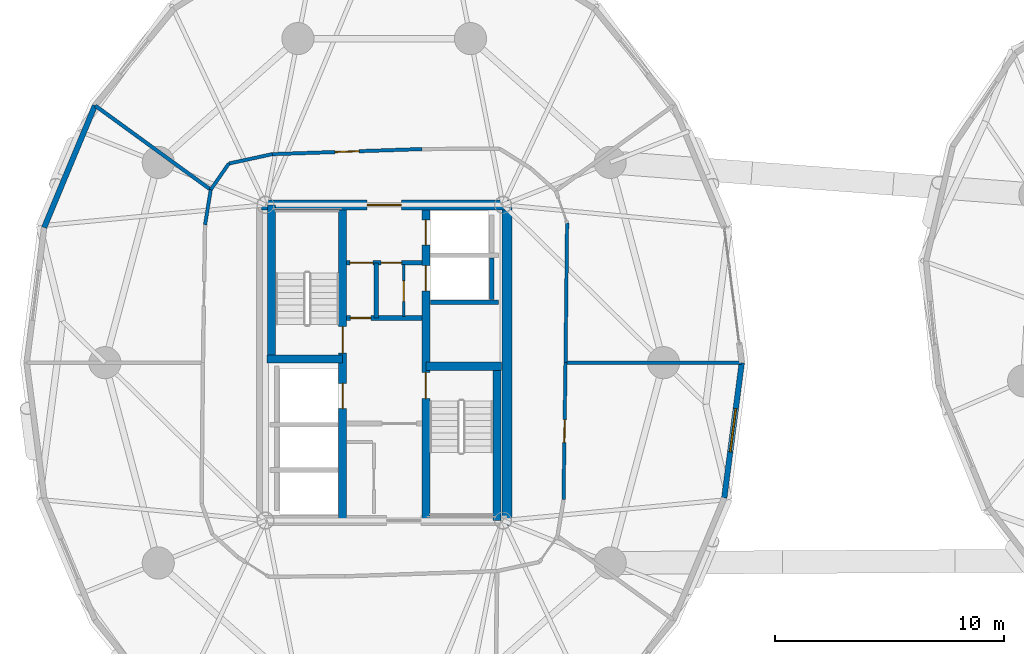
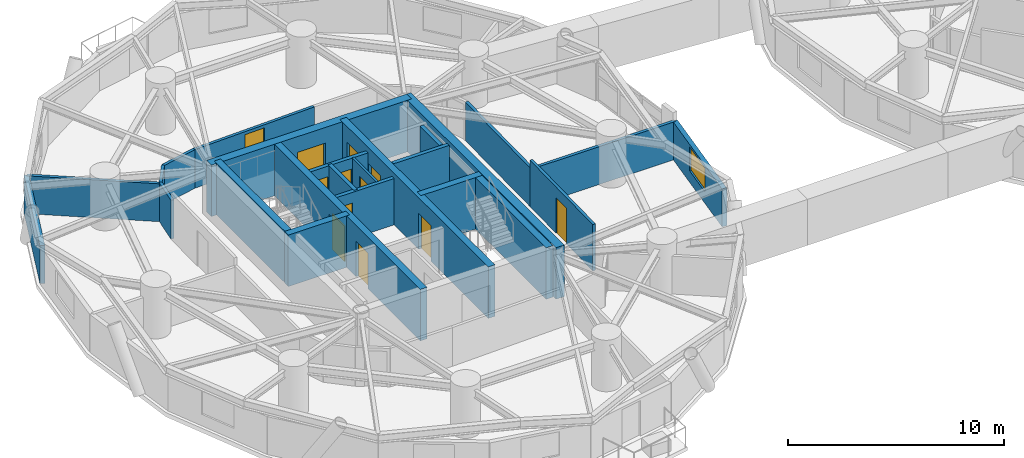
# One storey, part 11 of 18: 24 walls, 12 doors, 1 window, 13 openings.
"""IFC4 building model written with IfcOpenShell, lengths in metres."""

from ifc_helpers import new_model, si_unit, direction, frame, frame_2d, origin, place, context, subcontext, project, spatial, rectangle, extrude, source, transform, mapped, material, layer, layer_set, type_object, element, fill, save


model = new_model("IFC4")

# Units and contexts
model_context = context("Model", 3, precision=1e-05, world=origin(), true_north=direction((0.0, 1.0)))
body_context = subcontext(model_context, "Body", "Model", "MODEL_VIEW")
ifc_project = project(units=[si_unit("LENGTHUNIT", "METRE"), si_unit("AREAUNIT", "SQUARE_METRE"), si_unit("VOLUMEUNIT", "CUBIC_METRE"), si_unit("PLANEANGLEUNIT", "RADIAN"), si_unit("MASSUNIT", "GRAM", prefix="KILO")], contexts=[model_context])

# Site, building, storey
site_placement = place(None, origin())
site = spatial("IfcSite", under=ifc_project, at=site_placement, CompositionType="ELEMENT")
building_placement = place(site_placement, origin())
building = spatial("IfcBuilding", under=site, at=building_placement, Name="Cununo Teusaquillo Station Towers", CompositionType="ELEMENT")
storey_placement = place(building_placement, frame((0.0, 0.0, 122.530029296875)))
storey = spatial("IfcBuildingStorey", under=building, at=storey_placement, Name="L39", CompositionType="ELEMENT", Elevation=122.530029296875)

# Walls
ifc_material_1 = material(Name="Concrete C50/60", Category="concrete")
ifc_layer_1 = layer(ifc_material_1, 0.199951171875)
ifc_layer_set_1 = layer_set([ifc_layer_1], Name="Concrete C50/60")
wall_type_1 = type_object("IfcWallType", Name="WL-CORE-200", PredefinedType="SHEAR", material=ifc_layer_set_1)
wall_1_placement = place(storey_placement, frame((18.510009765625, 27.1298828125, 0.0), z_axis=(0.0, 0.0, 1.0), x_axis=(1.0, 0.0, 0.0)))
element("IfcWall", 1, at=wall_1_placement, inside=storey, type_object=wall_type_1, Name="L39 Tower A Low-Rise Lift Hoistway South Shear Wall", PredefinedType="SHEAR", context=body_context, shape_type="SweptSolid", body=[
    extrude(rectangle(XDim=2.969970703125, YDim=0.199951171875, at=frame_2d((1.48486328125, 0.0))), origin(), (0.0, 0.0, 1.0), 2.909912109375),
])
wall_2_placement = place(storey_placement, frame((21.179931640625, 27.25, 0.0), z_axis=(0.0, 0.0, 1.0), x_axis=(0.0, 1.0, 0.0)))
element("IfcWall", 2, at=wall_2_placement, inside=storey, type_object=wall_type_1, Name="L39 Tower A Low-Rise Lift 1 Shaft Rear Shear Wall", PredefinedType="SHEAR", context=body_context, shape_type="SweptSolid", body=[
    extrude(rectangle(XDim=1.804931640625, YDim=0.199951171875, at=frame_2d((0.90234375, 0.0))), origin(), (0.0, 0.0, 1.0), 2.909912109375),
])

# Wall, openings, doors
ifc_material_2 = material(Name="Concrete C50/60", Category="concrete")
ifc_layer_2 = layer(ifc_material_2, 0.35009765625)
ifc_layer_set_2 = layer_set([ifc_layer_2], Name="Concrete C50/60")
wall_type_2 = type_object("IfcWallType", Name="WL-CORE-350", PredefinedType="SHEAR", material=ifc_layer_set_2)
wall_3_placement = place(storey_placement, frame((14.68505859375, 17.625, 0.0), z_axis=(0.0, 0.0, 1.0), x_axis=(0.0, 1.0, 0.0)))
wall_3 = element("IfcWall", 3, at=wall_3_placement, inside=storey, type_object=wall_type_2, Name="L39 Tower A Core Shear Wall IW", PredefinedType="SHEAR", context=body_context, shape_type="SweptSolid", body=[
    extrude(rectangle(XDim=13.75, YDim=0.35009765625, at=frame_2d((6.875, 0.0))), origin(), (0.0, 0.0, 1.0), 2.909912109375),
])
shared_shape_1 = source(origin(), body_context, "Body", "SweptSolid", [
    extrude(rectangle(XDim=1.10009765625, YDim=2.014892578125, at=frame_2d((0.550048828125, 1.00732421875))), frame((0.0, 0.18505859375, 0.0), z_axis=(0.0, -1.0, 0.0), x_axis=(1.0, 0.0, 0.0)), (0.0, 0.0, 1.0), 0.3701171875),
])
opening_1_placement = place(wall_3_placement, frame((4.875, 0.0, 0.0)))
opening_1 = element("IfcOpeningElement", 4, at=opening_1_placement, cuts=wall_3, Name="Opening LD-01", PredefinedType="OPENING", context=body_context, shape_type="MappedRepresentation", body=[
    mapped(shared_shape_1, transform((0.0, 0.0, 0.0), x_axis=(1.0, 0.0, 0.0), y_axis=(0.0, 1.0, 0.0), z_axis=(0.0, 0.0, 1.0), scale=1.0)),
])
shared_shape_2 = source(origin(), body_context, "Body", "SweptSolid", [
    extrude(rectangle(XDim=1.14990234375, YDim=2.02001953125, at=frame_2d((0.574951171875, 1.010009765625))), frame((0.0, 0.18505859375, 0.0), z_axis=(0.0, -1.0, 0.0), x_axis=(1.0, 0.0, 0.0)), (0.0, 0.0, 1.0), 0.3701171875),
])
opening_2_placement = place(wall_3_placement, frame((7.294921875, 0.0, 0.0)))
opening_2 = element("IfcOpeningElement", 5, at=opening_2_placement, cuts=wall_3, Name="Opening D-ST1", PredefinedType="OPENING", context=body_context, shape_type="MappedRepresentation", body=[
    mapped(shared_shape_2, transform((0.0, 0.0, 0.0), x_axis=(1.0, 0.0, 0.0), y_axis=(0.0, 1.0, 0.0), z_axis=(0.0, 0.0, 1.0), scale=1.0)),
])
ifc_material_3 = material(Name="Galvanised fire-rated hollow steel door assembly", Category="steel")
door_type_1 = type_object("IfcDoorType", Name="DR-LIFT-1100", OperationType="SLIDING_TO_LEFT", PredefinedType="DOOR", material=ifc_material_3)
shared_shape_3 = source(origin(), body_context, "Body", "SweptSolid", [
    extrude(rectangle(XDim=1.10009765625, YDim=2.014892578125, at=frame_2d((0.550048828125, 1.00732421875))), frame((0.0, 0.02490234375, 0.0), z_axis=(0.0, -1.0, 0.0), x_axis=(1.0, 0.0, 0.0)), (0.0, 0.0, 1.0), 0.050048828125),
])
door_1_placement = place(opening_1_placement, origin())
door_1 = element("IfcDoor", 6, at=door_1_placement, inside=storey, type_object=door_type_1, Name="L39 Lift FL-T1 Sliding Landing Door", OperationType="SLIDING_TO_RIGHT", OverallHeight=2.014892578125, OverallWidth=1.10009765625, PredefinedType="DOOR", context=body_context, shape_type="MappedRepresentation", body=[
    mapped(shared_shape_3, transform((0.0, 0.0, 0.0), x_axis=(1.0, 0.0, 0.0), y_axis=(0.0, 1.0, 0.0), z_axis=(0.0, 0.0, 1.0), scale=1.0)),
])
fill(opening_1, door_1)
ifc_material_4 = material(Name="Galvanised fire-rated hollow steel door assembly", Category="steel")
door_type_2 = type_object("IfcDoorType", Name="DR-STAIR-1150", OperationType="NOTDEFINED", PredefinedType="DOOR", material=ifc_material_4)
shared_shape_4 = source(origin(), body_context, "Body", "SweptSolid", [
    extrude(rectangle(XDim=1.14990234375, YDim=2.02001953125, at=frame_2d((0.574951171875, 1.010009765625))), frame((0.0, 0.02490234375, 0.0), z_axis=(0.0, -1.0, 0.0), x_axis=(1.0, 0.0, 0.0)), (0.0, 0.0, 1.0), 0.050048828125),
])
door_2_placement = place(opening_2_placement, origin())
door_2 = element("IfcDoor", 7, at=door_2_placement, inside=storey, type_object=door_type_2, Name="L39 Tower A Exit Stair 1 Fire Door", OperationType="SINGLE_SWING_RIGHT", OverallHeight=2.02001953125, OverallWidth=1.14990234375, PredefinedType="DOOR", context=body_context, shape_type="MappedRepresentation", body=[
    mapped(shared_shape_4, transform((0.0, 0.0, 0.0), x_axis=(1.0, 0.0, 0.0), y_axis=(0.0, 1.0, 0.0), z_axis=(0.0, 0.0, 1.0), scale=1.0)),
])
fill(opening_2, door_2)

wall_4_placement = place(storey_placement, frame((18.31494140625, 17.625, 0.0), z_axis=(0.0, 0.0, 1.0), x_axis=(0.0, 1.0, 0.0)))
wall_4 = element("IfcWall", 8, at=wall_4_placement, inside=storey, type_object=wall_type_2, Name="L39 Tower A Core Shear Wall IE", PredefinedType="SHEAR", context=body_context, shape_type="SweptSolid", body=[
    extrude(rectangle(XDim=13.75, YDim=0.35009765625, at=frame_2d((6.875, 0.0))), origin(), (0.0, 0.0, 1.0), 2.909912109375),
])
opening_3_placement = place(wall_4_placement, frame((10.0, 0.0, 0.0)))
opening_3 = element("IfcOpeningElement", 9, at=opening_3_placement, cuts=wall_4, Name="Opening LD-01", PredefinedType="OPENING", context=body_context, shape_type="MappedRepresentation", body=[
    mapped(shared_shape_1, transform((0.0, 0.0, 0.0), x_axis=(1.0, 0.0, 0.0), y_axis=(0.0, 1.0, 0.0), z_axis=(0.0, 0.0, 1.0), scale=1.0)),
])
opening_4_placement = place(wall_4_placement, frame((12.0, 0.0, 0.0)))
opening_4 = element("IfcOpeningElement", 10, at=opening_4_placement, cuts=wall_4, Name="Opening LD-01", PredefinedType="OPENING", context=body_context, shape_type="MappedRepresentation", body=[
    mapped(shared_shape_1, transform((0.0, 0.0, 0.0), x_axis=(1.0, 0.0, 0.0), y_axis=(0.0, 1.0, 0.0), z_axis=(0.0, 0.0, 1.0), scale=1.0)),
])
opening_5_placement = place(wall_4_placement, frame((5.304931640625, 0.0, 0.0)))
opening_5 = element("IfcOpeningElement", 11, at=opening_5_placement, cuts=wall_4, Name="Opening D-ST1", PredefinedType="OPENING", context=body_context, shape_type="MappedRepresentation", body=[
    mapped(shared_shape_2, transform((0.0, 0.0, 0.0), x_axis=(1.0, 0.0, 0.0), y_axis=(0.0, 1.0, 0.0), z_axis=(0.0, 0.0, 1.0), scale=1.0)),
])
door_3_placement = place(opening_3_placement, origin())
door_3 = element("IfcDoor", 12, at=door_3_placement, inside=storey, type_object=door_type_1, Name="L39 Lift PL-T1-L1 Sliding Landing Door", OperationType="SLIDING_TO_RIGHT", OverallHeight=2.014892578125, OverallWidth=1.10009765625, PredefinedType="DOOR", context=body_context, shape_type="MappedRepresentation", body=[
    mapped(shared_shape_3, transform((0.0, 0.0, 0.0), x_axis=(1.0, 0.0, 0.0), y_axis=(0.0, 1.0, 0.0), z_axis=(0.0, 0.0, 1.0), scale=1.0)),
])
fill(opening_3, door_3)
door_4_placement = place(opening_4_placement, origin())
door_4 = element("IfcDoor", 13, at=door_4_placement, inside=storey, type_object=door_type_1, Name="L39 Lift PL-T1-L2 Sliding Landing Door", OperationType="SLIDING_TO_LEFT", OverallHeight=2.014892578125, OverallWidth=1.10009765625, PredefinedType="DOOR", context=body_context, shape_type="MappedRepresentation", body=[
    mapped(shared_shape_3, transform((0.0, 0.0, 0.0), x_axis=(1.0, 0.0, 0.0), y_axis=(0.0, 1.0, 0.0), z_axis=(0.0, 0.0, 1.0), scale=1.0)),
])
fill(opening_4, door_4)
door_5_placement = place(opening_5_placement, origin())
door_5 = element("IfcDoor", 14, at=door_5_placement, inside=storey, type_object=door_type_2, Name="L39 Tower A Exit Stair 2 Fire Door", OperationType="SINGLE_SWING_LEFT", OverallHeight=2.02001953125, OverallWidth=1.14990234375, PredefinedType="DOOR", context=body_context, shape_type="MappedRepresentation", body=[
    mapped(shared_shape_4, transform((0.0, 0.0, 0.0), x_axis=(1.0, 0.0, 0.0), y_axis=(0.0, 1.0, 0.0), z_axis=(0.0, 0.0, 1.0), scale=1.0)),
])
fill(opening_5, door_5)

# Walls
wall_5_placement = place(storey_placement, frame((11.594970703125, 24.655029296875, 0.0), z_axis=(0.0, 0.0, 1.0), x_axis=(0.0, 1.0, 0.0)))
element("IfcWall", 15, at=wall_5_placement, inside=storey, type_object=wall_type_2, Name="L39 Tower A Core Shear Wall ST1W", PredefinedType="SHEAR", context=body_context, shape_type="SweptSolid", body=[
    extrude(rectangle(XDim=6.719970703125, YDim=0.35009765625, at=frame_2d((3.35986328125, 0.0))), origin(), (0.0, 0.0, 1.0), 2.909912109375),
])
wall_6_placement = place(storey_placement, frame((11.39990234375, 24.655029296875, 0.0), z_axis=(0.0, 0.0, 1.0), x_axis=(1.0, 0.0, 0.0)))
element("IfcWall", 16, at=wall_6_placement, inside=storey, type_object=wall_type_2, Name="L39 Tower A Core Shear Wall ST1S", PredefinedType="SHEAR", context=body_context, shape_type="SweptSolid", body=[
    extrude(rectangle(XDim=3.28515625, YDim=0.35009765625, at=frame_2d((1.642578125, 0.0))), origin(), (0.0, 0.0, 1.0), 2.909912109375),
])
wall_7_placement = place(storey_placement, frame((21.405029296875, 17.625, 0.0), z_axis=(0.0, 0.0, 1.0), x_axis=(0.0, 1.0, 0.0)))
element("IfcWall", 17, at=wall_7_placement, inside=storey, type_object=wall_type_2, Name="L39 Tower A Core Shear Wall ST2E", PredefinedType="SHEAR", context=body_context, shape_type="SweptSolid", body=[
    extrude(rectangle(XDim=6.719970703125, YDim=0.35009765625, at=frame_2d((3.35986328125, 0.0))), origin(), (0.0, 0.0, 1.0), 2.909912109375),
])
wall_8_placement = place(storey_placement, frame((18.31494140625, 24.344970703125, 0.0), z_axis=(0.0, 0.0, 1.0), x_axis=(1.0, 0.0, 0.0)))
element("IfcWall", 18, at=wall_8_placement, inside=storey, type_object=wall_type_2, Name="L39 Tower A Core Shear Wall ST2N", PredefinedType="SHEAR", context=body_context, shape_type="SweptSolid", body=[
    extrude(rectangle(XDim=3.28515625, YDim=0.35009765625, at=frame_2d((1.642578125, 0.0))), origin(), (0.0, 0.0, 1.0), 2.909912109375),
])
ifc_material_5 = material(Name="Concrete C60/75", Category="concrete")
ifc_layer_3 = layer(ifc_material_5, 0.449951171875)
ifc_layer_set_3 = layer_set([ifc_layer_3], Name="Concrete C60/75")
wall_type_3 = type_object("IfcWallType", Name="WL-CORE-450", PredefinedType="SHEAR", material=ifc_layer_set_3)
wall_9_placement = place(storey_placement, frame((21.85009765625, 17.39990234375, 0.0), z_axis=(0.0, 0.0, 1.0), x_axis=(0.0, 1.0, 0.0)))
element("IfcWall", 19, at=wall_9_placement, inside=storey, type_object=wall_type_3, Name="L39 Tower A Core Shear Wall E", PredefinedType="SHEAR", context=body_context, shape_type="SweptSolid", body=[
    extrude(rectangle(XDim=14.2001953125, YDim=0.449951171875, at=frame_2d((7.10009765625, 0.0))), origin(), (0.0, 0.0, 1.0), 2.909912109375),
])

# Wall, opening, door
wall_10_placement = place(storey_placement, frame((11.14990234375, 31.375, 0.0), z_axis=(0.0, 0.0, 1.0), x_axis=(1.0, 0.0, 0.0)))
wall_10 = element("IfcWall", 20, at=wall_10_placement, inside=storey, type_object=wall_type_3, Name="L39 Tower A Core Shear Wall N", PredefinedType="SHEAR", context=body_context, shape_type="SweptSolid", body=[
    extrude(rectangle(XDim=10.7001953125, YDim=0.449951171875, at=frame_2d((5.35009765625, 0.0))), origin(), (0.0, 0.0, 1.0), 2.909912109375),
])
shared_shape_5 = source(origin(), body_context, "Body", "SweptSolid", [
    extrude(rectangle(XDim=1.5, YDim=2.02001953125, at=frame_2d((0.75, 1.010009765625))), frame((0.0, 0.23486328125, 0.0), z_axis=(0.0, -1.0, 0.0), x_axis=(1.0, 0.0, 0.0)), (0.0, 0.0, 1.0), 0.469970703125),
])
opening_6_placement = place(wall_10_placement, frame((4.60009765625, 0.0, 0.0)))
opening_6 = element("IfcOpeningElement", 21, at=opening_6_placement, cuts=wall_10, Name="Opening D-LB1", PredefinedType="OPENING", context=body_context, shape_type="MappedRepresentation", body=[
    mapped(shared_shape_5, transform((0.0, 0.0, 0.0), x_axis=(1.0, 0.0, 0.0), y_axis=(0.0, 1.0, 0.0), z_axis=(0.0, 0.0, 1.0), scale=1.0)),
])
ifc_material_6 = material(Name="Galvanised fire-rated hollow steel door assembly", Category="steel")
door_type_3 = type_object("IfcDoorType", Name="DR-LOBBY-1500", OperationType="DOUBLE_DOOR_SINGLE_SWING", PredefinedType="DOOR", material=ifc_material_6)
shared_shape_6 = source(origin(), body_context, "Body", "SweptSolid", [
    extrude(rectangle(XDim=1.5, YDim=2.02001953125, at=frame_2d((0.75, 1.010009765625))), frame((0.0, 0.02490234375, 0.0), z_axis=(0.0, -1.0, 0.0), x_axis=(1.0, 0.0, 0.0)), (0.0, 0.0, 1.0), 0.050048828125),
])
door_6_placement = place(opening_6_placement, origin())
door_6 = element("IfcDoor", 22, at=door_6_placement, inside=storey, type_object=door_type_3, Name="L39 Tower A North Core Lift Lobby Door", OperationType="DOUBLE_DOOR_SINGLE_SWING", OverallHeight=2.02001953125, OverallWidth=1.5, PredefinedType="DOOR", context=body_context, shape_type="MappedRepresentation", body=[
    mapped(shared_shape_6, transform((0.0, 0.0, 0.0), x_axis=(1.0, 0.0, 0.0), y_axis=(0.0, 1.0, 0.0), z_axis=(0.0, 0.0, 1.0), scale=1.0)),
])
fill(opening_6, door_6)

# Wall
ifc_material_7 = material(Name="Precast concrete C40/50", Category="concrete")
ifc_layer_4 = layer(ifc_material_7, 0.239990234375)
ifc_layer_set_4 = layer_set([ifc_layer_4], Name="Precast concrete C40/50")
wall_type_4 = type_object("IfcWallType", Name="WL-EXT-240", PredefinedType="SOLIDWALL", material=ifc_layer_set_4)
wall_11_placement = place(storey_placement, frame((1.681640625, 30.39306640625, 0.0), z_axis=(0.0, 0.0, 1.0), x_axis=(0.384344417632, 0.923189779317, 0.0)))
element("IfcWall", 23, at=wall_11_placement, inside=storey, type_object=wall_type_4, Name="L39 Tower A Exterior Facade Wall C08", PredefinedType="SOLIDWALL", context=body_context, shape_type="SweptSolid", body=[
    extrude(rectangle(XDim=5.75830078125, YDim=0.239990234375, at=frame_2d((2.879150390625, 0.0))), origin(), (0.0, 0.0, 1.0), 2.138916015625),
])

# Wall, opening, window
wall_12_placement = place(storey_placement, frame((32.0810546875, 24.5, 0.0), z_axis=(0.0, 0.0, 1.0), x_axis=(-0.128351991996, -0.991728675672, 0.0)))
wall_12 = element("IfcWall", 24, at=wall_12_placement, inside=storey, type_object=wall_type_4, Name="L39 Tower A Exterior Facade Wall C19", PredefinedType="SOLIDWALL", context=body_context, shape_type="SweptSolid", body=[
    extrude(rectangle(XDim=5.942138671875, YDim=0.239990234375, at=frame_2d((2.97119140625, 0.0))), origin(), (0.0, 0.0, 1.0), 2.138916015625),
])
shared_shape_7 = source(origin(), body_context, "Body", "SweptSolid", [
    extrude(rectangle(XDim=1.89990234375, YDim=1.35009765625, at=frame_2d((0.949951171875, 0.675048828125))), frame((0.0, 0.1298828125, 0.0), z_axis=(0.0, -1.0, 0.0), x_axis=(1.0, 0.0, 0.0)), (0.0, 0.0, 1.0), 0.260009765625),
])
opening_7_placement = place(wall_12_placement, frame((2.02099609375, 0.0, 0.64990234375)))
opening_7 = element("IfcOpeningElement", 25, at=opening_7_placement, cuts=wall_12, Name="Opening WN-02", PredefinedType="OPENING", context=body_context, shape_type="MappedRepresentation", body=[
    mapped(shared_shape_7, transform((0.0, 0.0, 0.0), x_axis=(1.0, 0.0, 0.0), y_axis=(0.0, 1.0, 0.0), z_axis=(0.0, 0.0, 1.0), scale=1.0)),
])
ifc_material_8 = material(Name="Operable acoustic tinted low-E double glazing", Category="glass")
window_type = type_object("IfcWindowType", Name="WIN-OPER-1900", PartitioningType="DOUBLE_PANEL_VERTICAL", PredefinedType="WINDOW", material=ifc_material_8)
shared_shape_8 = source(origin(), body_context, "Body", "SweptSolid", [
    extrude(rectangle(XDim=1.89990234375, YDim=1.35009765625, at=frame_2d((0.949951171875, 0.675048828125))), frame((0.0, 0.030029296875, 0.0), z_axis=(0.0, -1.0, 0.0), x_axis=(1.0, 0.0, 0.0)), (0.0, 0.0, 1.0), 0.06005859375),
])
window_placement = place(opening_7_placement, origin())
window = element("IfcWindow", 26, at=window_placement, inside=storey, type_object=window_type, Name="L39 Tower A Facade Window C19", OverallHeight=1.35009765625, OverallWidth=1.89990234375, PartitioningType="DOUBLE_PANEL_VERTICAL", PredefinedType="WINDOW", context=body_context, shape_type="MappedRepresentation", body=[
    mapped(shared_shape_8, transform((0.0, 0.0, 0.0), x_axis=(1.0, 0.0, 0.0), y_axis=(0.0, 1.0, 0.0), z_axis=(0.0, 0.0, 1.0), scale=1.0)),
])
fill(opening_7, window)

# Wall, opening, door
ifc_material_9 = material(Name="Fire-rated gypsum plasterboard partition assembly", Category="gypsum")
ifc_layer_5 = layer(ifc_material_9, 0.125)
ifc_layer_set_5 = layer_set([ifc_layer_5], Name="Fire-rated gypsum plasterboard partition assembly")
wall_type_5 = type_object("IfcWallType", Name="WL-PART-125", PredefinedType="PARTITIONING", material=ifc_layer_set_5)
wall_13_placement = place(storey_placement, frame((17.35009765625, 26.52001953125, 0.0), z_axis=(0.0, 0.0, 1.0), x_axis=(0.0, 1.0, 0.0)))
wall_13 = element("IfcWall", 27, at=wall_13_placement, inside=storey, type_object=wall_type_5, Name="L39 Tower A Core Vertical Split Wall", PredefinedType="PARTITIONING", context=body_context, shape_type="SweptSolid", body=[
    extrude(rectangle(XDim=2.260009765625, YDim=0.125, at=frame_2d((1.1298828125, 0.0))), origin(), (0.0, 0.0, 1.0), 2.614990234375),
])
shared_shape_9 = source(origin(), body_context, "Body", "SweptSolid", [
    extrude(rectangle(XDim=0.89990234375, YDim=2.0048828125, at=frame_2d((0.449951171875, 1.00244140625))), frame((0.0, 0.072509765625, 0.0), z_axis=(0.0, -1.0, 0.0), x_axis=(1.0, 0.0, 0.0)), (0.0, 0.0, 1.0), 0.14501953125),
])
opening_8_placement = place(wall_13_placement, frame((0.64990234375, 0.0, 0.0)))
opening_8 = element("IfcOpeningElement", 28, at=opening_8_placement, cuts=wall_13, Name="Opening D-SR1", PredefinedType="OPENING", context=body_context, shape_type="MappedRepresentation", body=[
    mapped(shared_shape_9, transform((0.0, 0.0, 0.0), x_axis=(1.0, 0.0, 0.0), y_axis=(0.0, 1.0, 0.0), z_axis=(0.0, 0.0, 1.0), scale=1.0)),
])
ifc_material_10 = material(Name="Galvanised fire-rated hollow steel door assembly", Category="steel")
door_type_4 = type_object("IfcDoorType", Name="DR-STORE-900", OperationType="NOTDEFINED", PredefinedType="DOOR", material=ifc_material_10)
shared_shape_10 = source(origin(), body_context, "Body", "SweptSolid", [
    extrude(rectangle(XDim=0.89990234375, YDim=2.0048828125, at=frame_2d((0.449951171875, 1.00244140625))), frame((0.0, 0.02490234375, 0.0), z_axis=(0.0, -1.0, 0.0), x_axis=(1.0, 0.0, 0.0)), (0.0, 0.0, 1.0), 0.050048828125),
])
door_7_placement = place(opening_8_placement, origin())
door_7 = element("IfcDoor", 29, at=door_7_placement, inside=storey, type_object=door_type_4, Name="L39 Tower A Core Electrical Room Door", OperationType="SINGLE_SWING_RIGHT", OverallHeight=2.0048828125, OverallWidth=0.89990234375, PredefinedType="DOOR", context=body_context, shape_type="MappedRepresentation", body=[
    mapped(shared_shape_10, transform((0.0, 0.0, 0.0), x_axis=(1.0, 0.0, 0.0), y_axis=(0.0, 1.0, 0.0), z_axis=(0.0, 0.0, 1.0), scale=1.0)),
])
fill(opening_8, door_7)

# Wall
ifc_material_11 = material(Name="Fire-rated gypsum plasterboard partition assembly", Category="gypsum")
ifc_layer_6 = layer(ifc_material_11, 0.14990234375)
ifc_layer_set_6 = layer_set([ifc_layer_6], Name="Fire-rated gypsum plasterboard partition assembly")
wall_type_6 = type_object("IfcWallType", Name="WL-PART-150", PredefinedType="PARTITIONING", material=ifc_layer_set_6)
wall_14_placement = place(storey_placement, frame((24.39990234375, 24.5, 0.0), z_axis=(0.0, 0.0, 1.0), x_axis=(0.011359710161, 0.999935476411, 0.0)))
element("IfcWall", 30, at=wall_14_placement, inside=storey, type_object=wall_type_6, Name="L39 Tower A Corridor Ring Wall C00", PredefinedType="PARTITIONING", context=body_context, shape_type="SweptSolid", body=[
    extrude(rectangle(XDim=6.082275390625, YDim=0.14990234375, at=frame_2d((3.041015625, 0.0))), origin(), (0.0, 0.0, 1.0), 2.18505859375),
])

# Wall, opening, door
wall_15_placement = place(storey_placement, frame((18.142822265625, 33.8095703125, 0.0), z_axis=(0.0, 0.0, 1.0), x_axis=(-0.999423023908, -0.033964971394, 0.0)))
wall_15 = element("IfcWall", 31, at=wall_15_placement, inside=storey, type_object=wall_type_6, Name="L39 Tower A Corridor Ring Wall C05", PredefinedType="PARTITIONING", context=body_context, shape_type="SweptSolid", body=[
    extrude(rectangle(XDim=6.526611328125, YDim=0.14990234375, at=frame_2d((3.26318359375, 0.0))), origin(), (0.0, 0.0, 1.0), 2.18505859375),
])
shared_shape_11 = source(origin(), body_context, "Body", "SweptSolid", [
    extrude(rectangle(XDim=1.050048828125, YDim=2.014892578125, at=frame_2d((0.52490234375, 1.00732421875))), frame((0.0, 0.0849609375, 0.0), z_axis=(0.0, -1.0, 0.0), x_axis=(1.0, 0.0, 0.0)), (0.0, 0.0, 1.0), 0.169921875),
])
opening_9_placement = place(wall_15_placement, frame((2.73828125, 0.0, 0.0)))
opening_9 = element("IfcOpeningElement", 32, at=opening_9_placement, cuts=wall_15, Name="Opening D-SU1", PredefinedType="OPENING", context=body_context, shape_type="MappedRepresentation", body=[
    mapped(shared_shape_11, transform((0.0, 0.0, 0.0), x_axis=(1.0, 0.0, 0.0), y_axis=(0.0, 1.0, 0.0), z_axis=(0.0, 0.0, 1.0), scale=1.0)),
])
ifc_material_12 = material(Name="Acoustic solid-core hardwood leaf assembly", Category="wood")
door_type_5 = type_object("IfcDoorType", Name="DR-SUITE-1050", OperationType="NOTDEFINED", PredefinedType="DOOR", material=ifc_material_12)
shared_shape_12 = source(origin(), body_context, "Body", "SweptSolid", [
    extrude(rectangle(XDim=1.050048828125, YDim=2.014892578125, at=frame_2d((0.52490234375, 1.00732421875))), frame((0.0, 0.02490234375, 0.0), z_axis=(0.0, -1.0, 0.0), x_axis=(1.0, 0.0, 0.0)), (0.0, 0.0, 1.0), 0.050048828125),
])
door_8_placement = place(opening_9_placement, origin())
door_8 = element("IfcDoor", 33, at=door_8_placement, inside=storey, type_object=door_type_5, Name="L39 Tower A Andean Urbanism Grand Exhibition Gallery Entrance Door", OperationType="SINGLE_SWING_RIGHT", OverallHeight=2.014892578125, OverallWidth=1.050048828125, PredefinedType="DOOR", context=body_context, shape_type="MappedRepresentation", body=[
    mapped(shared_shape_12, transform((0.0, 0.0, 0.0), x_axis=(1.0, 0.0, 0.0), y_axis=(0.0, 1.0, 0.0), z_axis=(0.0, 0.0, 1.0), scale=1.0)),
])
fill(opening_9, door_8)

# Walls
wall_16_placement = place(storey_placement, frame((11.619873046875, 33.587890625, 0.0), z_axis=(0.0, 0.0, 1.0), x_axis=(-0.977392314559, -0.211433827571, 0.0)))
element("IfcWall", 34, at=wall_16_placement, inside=storey, type_object=wall_type_6, Name="L39 Tower A Corridor Ring Wall C06", PredefinedType="PARTITIONING", context=body_context, shape_type="SweptSolid", body=[
    extrude(rectangle(XDim=1.93408203125, YDim=0.14990234375, at=frame_2d((0.967041015625, 0.0))), origin(), (0.0, 0.0, 1.0), 2.18505859375),
])
wall_17_placement = place(storey_placement, frame((9.7294921875, 33.178955078125, 0.0), z_axis=(0.0, 0.0, 1.0), x_axis=(-0.569155068352, -0.822230203878, 0.0)))
element("IfcWall", 35, at=wall_17_placement, inside=storey, type_object=wall_type_6, Name="L39 Tower A Corridor Ring Wall C07", PredefinedType="PARTITIONING", context=body_context, shape_type="SweptSolid", body=[
    extrude(rectangle(XDim=1.38720703125, YDim=0.14990234375, at=frame_2d((0.693603515625, 0.0))), origin(), (0.0, 0.0, 1.0), 2.18505859375),
])
wall_18_placement = place(storey_placement, frame((8.93994140625, 32.038330078125, 0.0), z_axis=(0.0, 0.0, 1.0), x_axis=(-0.159917336462, -0.987130409571, 0.0)))
element("IfcWall", 36, at=wall_18_placement, inside=storey, type_object=wall_type_6, Name="L39 Tower A Corridor Ring Wall C08", PredefinedType="PARTITIONING", context=body_context, shape_type="SweptSolid", body=[
    extrude(rectangle(XDim=1.546630859375, YDim=0.14990234375, at=frame_2d((0.7734375, 0.0))), origin(), (0.0, 0.0, 1.0), 2.18505859375),
])

# Wall, opening, door
wall_19_placement = place(storey_placement, frame((24.3134765625, 18.52880859375, 0.0), z_axis=(0.0, 0.0, 1.0), x_axis=(0.014472275982, 0.99989527113, 0.0)))
wall_19 = element("IfcWall", 37, at=wall_19_placement, inside=storey, type_object=wall_type_6, Name="L39 Tower A Corridor Ring Wall C19", PredefinedType="PARTITIONING", context=body_context, shape_type="SweptSolid", body=[
    extrude(rectangle(XDim=5.971923828125, YDim=0.14990234375, at=frame_2d((2.98583984375, 0.0))), origin(), (0.0, 0.0, 1.0), 2.614990234375),
])
shared_shape_13 = source(origin(), body_context, "Body", "SweptSolid", [
    extrude(rectangle(XDim=1.0, YDim=2.014892578125, at=frame_2d((0.5, 1.00732421875))), frame((0.0, 0.0849609375, 0.0), z_axis=(0.0, -1.0, 0.0), x_axis=(1.0, 0.0, 0.0)), (0.0, 0.0, 1.0), 0.169921875),
])
opening_10_placement = place(wall_19_placement, frame((2.486083984375, 0.0, 0.0)))
opening_10 = element("IfcOpeningElement", 38, at=opening_10_placement, cuts=wall_19, Name="Opening D-AC1", PredefinedType="OPENING", context=body_context, shape_type="MappedRepresentation", body=[
    mapped(shared_shape_13, transform((0.0, 0.0, 0.0), x_axis=(1.0, 0.0, 0.0), y_axis=(0.0, 1.0, 0.0), z_axis=(0.0, 0.0, 1.0), scale=1.0)),
])
ifc_material_13 = material(Name="Acoustic solid-core hardwood leaf assembly", Category="wood")
door_type_6 = type_object("IfcDoorType", Name="DR-ACC-1000", OperationType="NOTDEFINED", PredefinedType="DOOR", material=ifc_material_13)
shared_shape_14 = source(origin(), body_context, "Body", "SweptSolid", [
    extrude(rectangle(XDim=1.0, YDim=2.014892578125, at=frame_2d((0.5, 1.00732421875))), frame((0.0, 0.02490234375, 0.0), z_axis=(0.0, -1.0, 0.0), x_axis=(1.0, 0.0, 0.0)), (0.0, 0.0, 1.0), 0.050048828125),
])
door_9_placement = place(opening_10_placement, origin())
door_9 = element("IfcDoor", 39, at=door_9_placement, inside=storey, type_object=door_type_6, Name="L39 Tower A Public Accessible Restroom WC Entrance Door", OperationType="SINGLE_SWING_RIGHT", OverallHeight=2.014892578125, OverallWidth=1.0, PredefinedType="DOOR", context=body_context, shape_type="MappedRepresentation", body=[
    mapped(shared_shape_14, transform((0.0, 0.0, 0.0), x_axis=(1.0, 0.0, 0.0), y_axis=(0.0, 1.0, 0.0), z_axis=(0.0, 0.0, 1.0), scale=1.0)),
])
fill(opening_10, door_9)

# Walls
ifc_material_14 = material(Name="Fire-rated gypsum plasterboard partition assembly", Category="gypsum")
ifc_layer_7 = layer(ifc_material_14, 0.159912109375)
ifc_layer_set_7 = layer_set([ifc_layer_7], Name="Fire-rated gypsum plasterboard partition assembly")
wall_type_7 = type_object("IfcWallType", Name="WL-PART-160", PredefinedType="PARTITIONING", material=ifc_layer_set_7)
wall_20_placement = place(storey_placement, frame((24.39990234375, 24.5, 0.0), z_axis=(0.0, 0.0, 1.0), x_axis=(1.0, 0.0, 0.0)))
element("IfcWall", 40, at=wall_20_placement, inside=storey, type_object=wall_type_7, Name="L39 Tower A Radial Suite Partition R01", PredefinedType="PARTITIONING", context=body_context, shape_type="SweptSolid", body=[
    extrude(rectangle(XDim=7.6611328125, YDim=0.159912109375, at=frame_2d((3.83056640625, 0.0))), origin(), (0.0, 0.0, 1.0), 2.138916015625),
])
wall_21_placement = place(storey_placement, frame((8.93994140625, 32.038330078125, 0.0), z_axis=(0.0, 0.0, 1.0), x_axis=(-0.808625730058, 0.588323404844, 0.0)))
element("IfcWall", 41, at=wall_21_placement, inside=storey, type_object=wall_type_7, Name="L39 Tower A Radial Suite Partition R03", PredefinedType="PARTITIONING", context=body_context, shape_type="SweptSolid", body=[
    extrude(rectangle(XDim=6.21923828125, YDim=0.159912109375, at=frame_2d((3.109619140625, 0.0))), origin(), (0.0, 0.0, 1.0), 2.138916015625),
])

# Wall, opening, door
ifc_material_15 = material(Name="Fire-rated gypsum plasterboard partition assembly", Category="gypsum")
ifc_layer_8 = layer(ifc_material_15, 0.199951171875)
ifc_layer_set_8 = layer_set([ifc_layer_8], Name="Fire-rated gypsum plasterboard partition assembly")
wall_type_8 = type_object("IfcWallType", Name="WL-PART-200", PredefinedType="PARTITIONING", material=ifc_layer_set_8)
wall_22_placement = place(storey_placement, frame((14.860107421875, 26.449951171875, 0.0), z_axis=(0.0, 0.0, 1.0), x_axis=(1.0, 0.0, 0.0)))
wall_22 = element("IfcWall", 42, at=wall_22_placement, inside=storey, type_object=wall_type_8, Name="L39 Tower A Firefighting Lift Lobby North Fire Wall", PredefinedType="PARTITIONING", context=body_context, shape_type="SweptSolid", body=[
    extrude(rectangle(XDim=3.27978515625, YDim=0.199951171875, at=frame_2d((1.639892578125, 0.0))), origin(), (0.0, 0.0, 1.0), 2.614990234375),
])
shared_shape_15 = source(origin(), body_context, "Body", "SweptSolid", [
    extrude(rectangle(XDim=0.89990234375, YDim=2.0048828125, at=frame_2d((0.449951171875, 1.00244140625))), frame((0.0, 0.10986328125, 0.0), z_axis=(0.0, -1.0, 0.0), x_axis=(1.0, 0.0, 0.0)), (0.0, 0.0, 1.0), 0.219970703125),
])
opening_11_placement = place(wall_22_placement, frame((0.159912109375, 0.0, 0.0)))
opening_11 = element("IfcOpeningElement", 43, at=opening_11_placement, cuts=wall_22, Name="Opening D-SR1", PredefinedType="OPENING", context=body_context, shape_type="MappedRepresentation", body=[
    mapped(shared_shape_15, transform((0.0, 0.0, 0.0), x_axis=(1.0, 0.0, 0.0), y_axis=(0.0, 1.0, 0.0), z_axis=(0.0, 0.0, 1.0), scale=1.0)),
])
door_10_placement = place(opening_11_placement, origin())
door_10 = element("IfcDoor", 44, at=door_10_placement, inside=storey, type_object=door_type_4, Name="L39 Tower A Stair 1 Protected Vestibule South Door", OperationType="SINGLE_SWING_RIGHT", OverallHeight=2.0048828125, OverallWidth=0.89990234375, PredefinedType="DOOR", context=body_context, shape_type="MappedRepresentation", body=[
    mapped(shared_shape_10, transform((0.0, 0.0, 0.0), x_axis=(1.0, 0.0, 0.0), y_axis=(0.0, 1.0, 0.0), z_axis=(0.0, 0.0, 1.0), scale=1.0)),
])
fill(opening_11, door_10)

# Wall
wall_23_placement = place(storey_placement, frame((16.14990234375, 26.449951171875, 0.0), z_axis=(0.0, 0.0, 1.0), x_axis=(0.0, 1.0, 0.0)))
element("IfcWall", 45, at=wall_23_placement, inside=storey, type_object=wall_type_8, Name="L39 Tower A Stair 1 Vestibule Partition Wall", PredefinedType="PARTITIONING", context=body_context, shape_type="SweptSolid", body=[
    extrude(rectangle(XDim=2.400146484375, YDim=0.199951171875, at=frame_2d((1.2001953125, 0.0))), origin(), (0.0, 0.0, 1.0), 2.614990234375),
])

# Wall, openings, doors
wall_24_placement = place(storey_placement, frame((14.860107421875, 28.85009765625, 0.0), z_axis=(0.0, 0.0, 1.0), x_axis=(1.0, 0.0, 0.0)))
wall_24 = element("IfcWall", 46, at=wall_24_placement, inside=storey, type_object=wall_type_8, Name="L39 Tower A North Lift Lobby South Fire Wall", PredefinedType="PARTITIONING", context=body_context, shape_type="SweptSolid", body=[
    extrude(rectangle(XDim=3.27978515625, YDim=0.199951171875, at=frame_2d((1.639892578125, 0.0))), origin(), (0.0, 0.0, 1.0), 2.614990234375),
])
shared_shape_16 = source(origin(), body_context, "Body", "SweptSolid", [
    extrude(rectangle(XDim=1.0, YDim=2.014892578125, at=frame_2d((0.5, 1.00732421875))), frame((0.0, 0.10986328125, 0.0), z_axis=(0.0, -1.0, 0.0), x_axis=(1.0, 0.0, 0.0)), (0.0, 0.0, 1.0), 0.219970703125),
])
opening_12_placement = place(wall_24_placement, frame((0.139892578125, 0.0, 0.0)))
opening_12 = element("IfcOpeningElement", 47, at=opening_12_placement, cuts=wall_24, Name="Opening D-AC1", PredefinedType="OPENING", context=body_context, shape_type="MappedRepresentation", body=[
    mapped(shared_shape_16, transform((0.0, 0.0, 0.0), x_axis=(1.0, 0.0, 0.0), y_axis=(0.0, 1.0, 0.0), z_axis=(0.0, 0.0, 1.0), scale=1.0)),
])
opening_13_placement = place(wall_24_placement, frame((1.5, 0.0, 0.0)))
opening_13 = element("IfcOpeningElement", 48, at=opening_13_placement, cuts=wall_24, Name="Opening D-SR1", PredefinedType="OPENING", context=body_context, shape_type="MappedRepresentation", body=[
    mapped(shared_shape_15, transform((0.0, 0.0, 0.0), x_axis=(1.0, 0.0, 0.0), y_axis=(0.0, 1.0, 0.0), z_axis=(0.0, 0.0, 1.0), scale=1.0)),
])
door_11_placement = place(opening_13_placement, origin())
door_11 = element("IfcDoor", 49, at=door_11_placement, inside=storey, type_object=door_type_4, Name="L39 Tower A Core Housekeeping Store Door", OperationType="SINGLE_SWING_LEFT", OverallHeight=2.0048828125, OverallWidth=0.89990234375, PredefinedType="DOOR", context=body_context, shape_type="MappedRepresentation", body=[
    mapped(shared_shape_10, transform((0.0, 0.0, 0.0), x_axis=(1.0, 0.0, 0.0), y_axis=(0.0, 1.0, 0.0), z_axis=(0.0, 0.0, 1.0), scale=1.0)),
])
fill(opening_13, door_11)
door_12_placement = place(opening_12_placement, origin())
door_12 = element("IfcDoor", 50, at=door_12_placement, inside=storey, type_object=door_type_6, Name="L39 Tower A North Lift Lobby to Stair 1 Vestibule Door", OperationType="SINGLE_SWING_LEFT", OverallHeight=2.014892578125, OverallWidth=1.0, PredefinedType="DOOR", context=body_context, shape_type="MappedRepresentation", body=[
    mapped(shared_shape_14, transform((0.0, 0.0, 0.0), x_axis=(1.0, 0.0, 0.0), y_axis=(0.0, 1.0, 0.0), z_axis=(0.0, 0.0, 1.0), scale=1.0)),
])
fill(opening_12, door_12)

save(model, "model.ifc")
